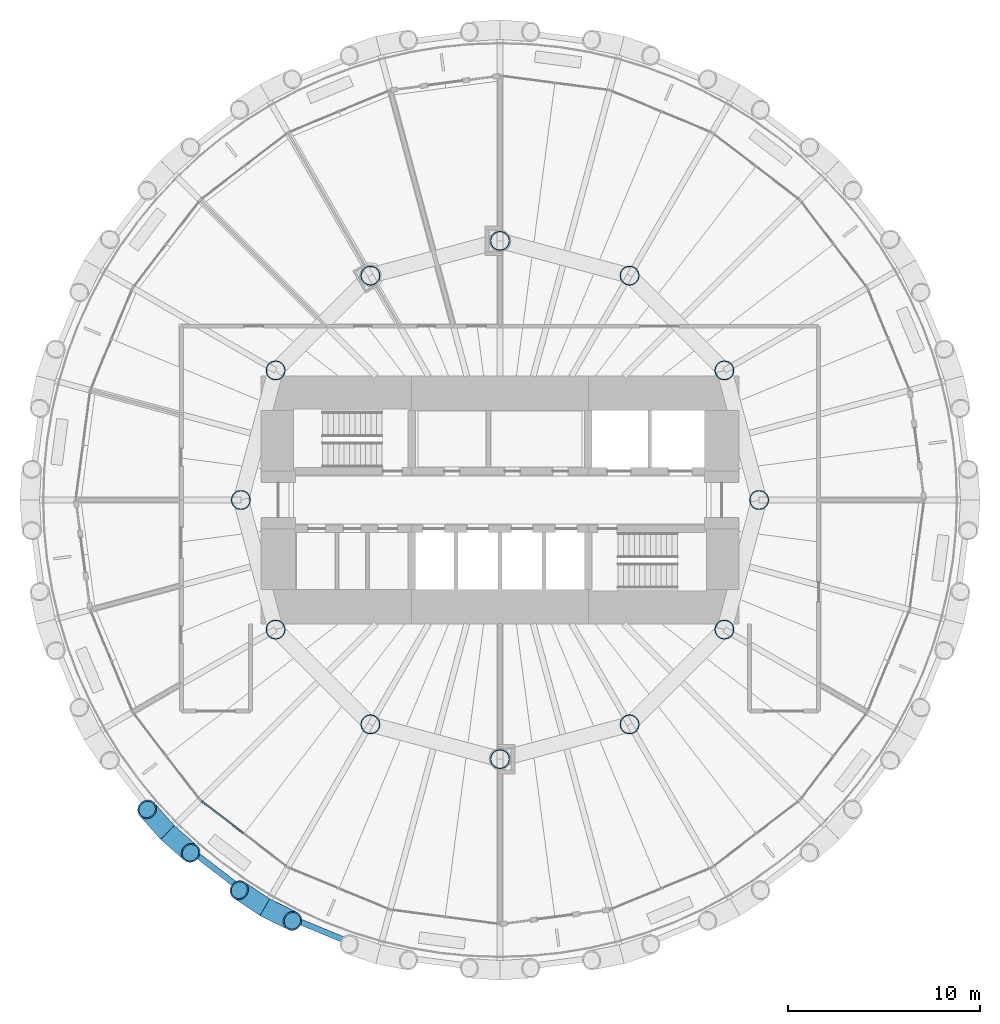
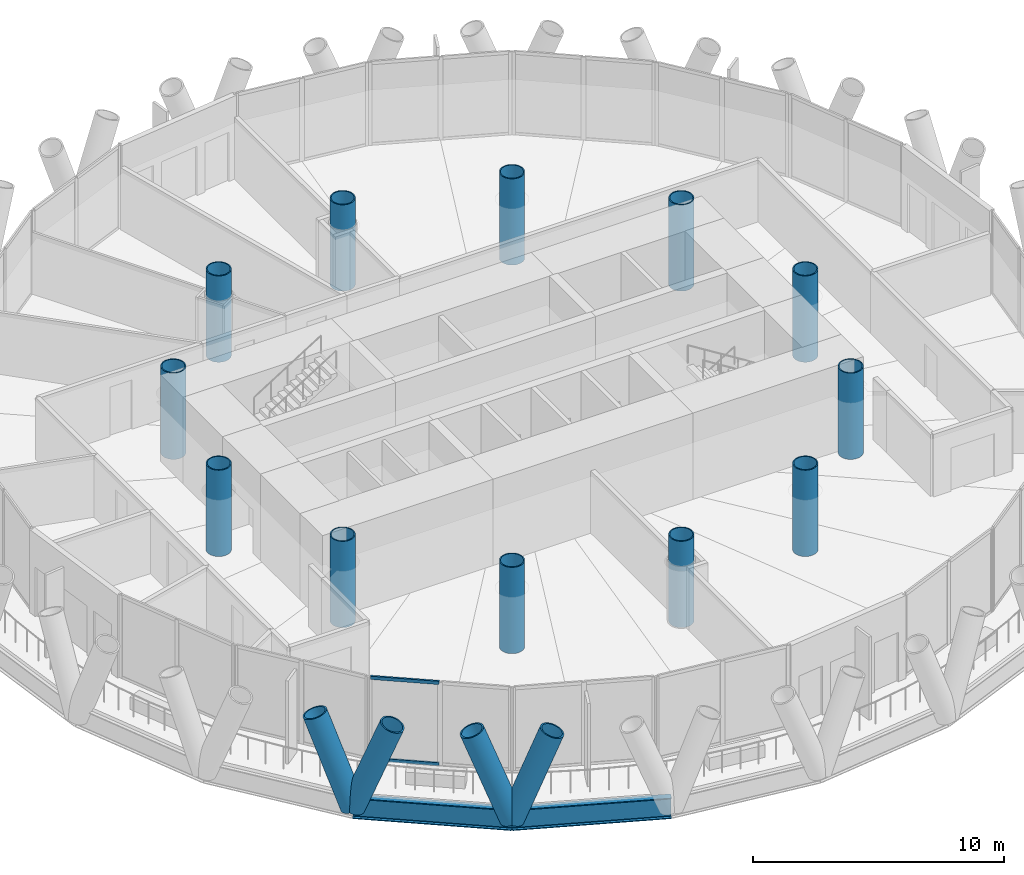
# One storey, part 1 of 15: 12 columns, 6 members, 2 beams, 1 element without a shape of its own.
"""IFC4 building model written with IfcOpenShell, lengths in metres."""

import ifcopenshell
import ifcopenshell.guid

model = None  # the IFC model being written
_history = None  # IfcOwnerHistory: only IFC2X3 demands one
_inside = {}  # id of a spatial element -> (the spatial element, [elements in it])
_under = {}  # id of a project, library or spatial element -> (it, [spatial elements below it])
_declared = {}  # id of a project -> (the project, [libraries it declares])
_typed = {}  # id of a type object -> (the type object, [elements of that type])
_made_of = {}  # id of a material, layer set ... -> (it, [elements and type objects made of it])


def new_model(schema):
    """Start an empty IFC model of exactly this schema.

    Asked for "IFC4X3", IfcOpenShell would pick the latest addendum, in which some entities
    have other attributes; the version numbers below select the first issue.
    IFC2X3 requires an IfcOwnerHistory on every rooted entity: one is made here for all.
    """
    global model, _history
    if schema == "IFC4X3":
        model = ifcopenshell.file(schema_version=(4, 3, 0, 0))
    else:
        model = ifcopenshell.file(schema=schema)
    _inside.clear()
    _under.clear()
    _declared.clear()
    _typed.clear()
    _made_of.clear()
    _history = None
    if model.schema == "IFC2X3":
        org = make("IfcOrganization", Name="unknown")
        user = make(
            "IfcPersonAndOrganization",
            ThePerson=make("IfcPerson", FamilyName="unknown"),
            TheOrganization=org,
        )
        app = make(
            "IfcApplication",
            ApplicationDeveloper=org,
            Version="unknown",
            ApplicationFullName="unknown",
            ApplicationIdentifier="unknown",
        )
        _history = make(
            "IfcOwnerHistory",
            OwningUser=user,
            OwningApplication=app,
            ChangeAction="ADDED",
            CreationDate=0,
        )
    return model


def make(cls, **values):
    """One entity of the class cls with the attributes given. An attribute that is None is left unset."""
    return model.create_entity(
        cls, **{name: value for name, value in values.items() if value is not None}
    )


def rooted(cls, **values):
    """An entity with a GlobalId (a new one), such as an element, a storey or a relation."""
    return make(cls, GlobalId=ifcopenshell.guid.new(), OwnerHistory=_history, **values)


def si_unit(unit_type, name, prefix=None):
    """IfcSIUnit, for example si_unit("LENGTHUNIT", "METRE", prefix="MILLI")."""
    return make("IfcSIUnit", UnitType=unit_type, Prefix=prefix, Name=name)


def assignment(units):
    """IfcUnitAssignment: the units of a project."""
    return None if units is None else make("IfcUnitAssignment", Units=units)


def point(xyz):
    """IfcCartesianPoint."""
    return None if xyz is None else make("IfcCartesianPoint", Coordinates=xyz)


def direction(xyz):
    """IfcDirection."""
    return None if xyz is None else make("IfcDirection", DirectionRatios=xyz)


def frame(location, z_axis=None, x_axis=None):
    """IfcAxis2Placement3D, a coordinate frame: its origin and axes. An axis left out is left unset."""
    return make(
        "IfcAxis2Placement3D",
        Location=point(location),
        Axis=direction(z_axis),
        RefDirection=direction(x_axis),
    )


def frame_2d(location, x_axis=None):
    """IfcAxis2Placement2D, a coordinate frame in the plane: its origin and x axis."""
    return make(
        "IfcAxis2Placement2D", Location=point(location), RefDirection=direction(x_axis)
    )


def origin():
    """The frame at (0, 0, 0) with its axes left unset."""
    return frame((0.0, 0.0, 0.0))


def origin_2d():
    """The frame at (0, 0) in the plane with its x axis left unset."""
    return frame_2d((0.0, 0.0))


def place(relative_to, where):
    """IfcLocalPlacement: puts the frame where relative to a parent placement (None: the world)."""
    return make(
        "IfcLocalPlacement", PlacementRelTo=relative_to, RelativePlacement=where
    )


def context(
    kind, dimensions, precision=None, world=None, true_north=None, identifier=None
):
    """IfcGeometricRepresentationContext, for example the 3D "Model" context."""
    return make(
        "IfcGeometricRepresentationContext",
        ContextIdentifier=identifier,
        ContextType=kind,
        CoordinateSpaceDimension=dimensions,
        Precision=precision,
        WorldCoordinateSystem=world,
        TrueNorth=true_north,
    )


def subcontext(parent, identifier, kind, view, scale=None):
    """IfcGeometricRepresentationSubContext, for example "Body" below "Model"."""
    return make(
        "IfcGeometricRepresentationSubContext",
        ContextIdentifier=identifier,
        ContextType=kind,
        ParentContext=parent,
        TargetScale=scale,
        TargetView=view,
    )


def project(units=None, contexts=None):
    """IfcProject with its units and contexts."""
    return rooted(
        "IfcProject",
        Name="project",
        RepresentationContexts=contexts,
        UnitsInContext=assignment(units),
    )


def spatial(cls, under=None, at=None, **own):
    """A site, building, storey or space (cls), placed at a placement, below another one or the project."""
    s = rooted(cls, ObjectPlacement=at, **own)
    if under is not None:
        _under.setdefault(under.id(), (under, []))[1].append(s)
    return s


def profile(cls, at=None, kind="AREA", **sizes):
    """A parametric profile (cls). Its sizes go by their IFC names, for example OverallWidth=200.0."""
    return make(cls, ProfileType=kind, Position=at, **sizes)


def rectangle(**sizes):
    """IfcRectangleProfileDef."""
    return profile("IfcRectangleProfileDef", **sizes)


def hollow_circle(**sizes):
    """IfcCircleHollowProfileDef."""
    return profile("IfcCircleHollowProfileDef", **sizes)


def i_section(**sizes):
    """IfcIShapeProfileDef."""
    return profile("IfcIShapeProfileDef", **sizes)


def extrude(swept, where, along, depth):
    """IfcExtrudedAreaSolid: the profile swept, set in the frame where, extruded along a direction by depth."""
    return make(
        "IfcExtrudedAreaSolid",
        SweptArea=swept,
        Position=where,
        ExtrudedDirection=direction(along),
        Depth=depth,
    )


def shape(context_of_items, identifier, shape_type, items):
    """IfcShapeRepresentation: the items that make up one representation, for example the "Body"."""
    return make(
        "IfcShapeRepresentation",
        ContextOfItems=context_of_items,
        RepresentationIdentifier=identifier,
        RepresentationType=shape_type,
        Items=items,
    )


def material(Name=None, Category=None):
    """IfcMaterial."""
    return make("IfcMaterial", Name=Name, Category=Category)


def material_profile(
    of_material, cross_section, Name=None, Category=None, Priority=None
):
    """IfcMaterialProfile: a cross section and its material."""
    return make(
        "IfcMaterialProfile",
        Name=Name,
        Material=of_material,
        Profile=cross_section,
        Priority=Priority,
        Category=Category,
    )


def profile_set(profiles, Name=None, composite=None):
    """IfcMaterialProfileSet."""
    return make(
        "IfcMaterialProfileSet",
        Name=Name,
        MaterialProfiles=profiles,
        CompositeProfile=composite,
    )


def made_of(thing, what):
    """Note that an element or type object is made of a material, layer set ...; save() writes the relation."""
    if what is not None:
        _made_of.setdefault(what.id(), (what, []))[1].append(thing)
    return thing


def type_object(cls, material=None, **own):
    """A type object (cls), such as IfcWallType, which elements share."""
    return made_of(rooted(cls, **own), material)


def element(
    cls,
    number,
    at=None,
    inside=None,
    cuts=None,
    type_object=None,
    material=None,
    context=None,
    identifier="Body",
    shape_type=None,
    held_by="IfcProductDefinitionShape",
    body=None,
    shapes=None,
    **own,
):
    """One element of the class cls, such as IfcWall. Its Tag is "e" and its number.

    at: its placement. inside: the storey or other place that contains it. cuts: it is an
    opening in that element (IfcRelVoidsElement). A single representation is given by context,
    identifier, shape_type and body (its items); several are given by shapes. held_by: the class
    of the entity that holds the representations. save() writes the other relations.
    """
    e = rooted(cls, Tag="e%d" % number, ObjectPlacement=at, **own)
    if body is not None:
        shapes = [shape(context, identifier, shape_type, body)]
    if shapes is not None:
        e.Representation = make(held_by, Representations=shapes)
    if inside is not None:
        _inside.setdefault(inside.id(), (inside, []))[1].append(e)
    if cuts is not None:
        rooted(
            "IfcRelVoidsElement", RelatingBuildingElement=cuts, RelatedOpeningElement=e
        )
    if type_object is not None:
        _typed.setdefault(type_object.id(), (type_object, []))[1].append(e)
    return made_of(e, material)


def aggregate(whole, parts):
    """IfcRelAggregates: a whole, such as a stair, and the parts it consists of."""
    return rooted("IfcRelAggregates", RelatingObject=whole, RelatedObjects=parts)


def save(model, path):
    """Write the relations noted so far, then the file.

    IfcRelAggregates (storeys below a building ...), IfcRelContainedInSpatialStructure (elements
    in a storey), IfcRelDefinesByType, IfcRelAssociatesMaterial and IfcRelDeclares: one each for
    every whole, place, type object, material and project.
    """
    for whole, parts in _under.values():
        aggregate(whole, parts)
    for where, things in _inside.values():
        rooted(
            "IfcRelContainedInSpatialStructure",
            RelatedElements=things,
            RelatingStructure=where,
        )
    for kind, things in _typed.values():
        rooted("IfcRelDefinesByType", RelatedObjects=things, RelatingType=kind)
    for what, things in _made_of.values():
        rooted("IfcRelAssociatesMaterial", RelatedObjects=things, RelatingMaterial=what)
    for by, libraries in _declared.values():
        rooted("IfcRelDeclares", RelatingContext=by, RelatedDefinitions=libraries)
    model.write(path)


model = new_model("IFC4")

# Units and contexts
model_context = context("Model", 3, precision=1e-05, world=origin(), true_north=direction((0.0, 1.0)))
body_context = subcontext(model_context, "Body", "Model", "MODEL_VIEW")
ifc_project = project(units=[si_unit("LENGTHUNIT", "METRE"), si_unit("AREAUNIT", "SQUARE_METRE"), si_unit("VOLUMEUNIT", "CUBIC_METRE"), si_unit("PLANEANGLEUNIT", "RADIAN"), si_unit("MASSUNIT", "GRAM", prefix="KILO")], contexts=[model_context])

# Site, building, storey
site_placement = place(None, origin())
site = spatial("IfcSite", under=ifc_project, at=site_placement, CompositionType="ELEMENT")
building_placement = place(site_placement, origin())
building = spatial("IfcBuilding", under=site, at=building_placement, Name="Qaws Media Tower", CompositionType="ELEMENT")
storey_placement = place(building_placement, frame((0.0, 0.0, 177.199951171875)))
storey = spatial("IfcBuildingStorey", under=building, at=storey_placement, Name="L40", CompositionType="ELEMENT", Elevation=177.199951171875)

# Columns
ifc_material_1 = material(Name="Steel S460", Category="steel")
ifc_material_profile_1 = material_profile(ifc_material_1, hollow_circle(Radius=0.508056640625, WallThickness=0.050048828125, at=origin_2d()), Name="CHS 1016x50")
ifc_profile_set_1 = profile_set([ifc_material_profile_1], Name="Steel S460")
column_type = type_object("IfcColumnType", Name="Inner column CHS 1016x50", PredefinedType="COLUMN", material=ifc_profile_set_1)
for number, where, z_axis, x_axis, name in (
    (1, (73.5, 50.0, 0.0), (0.0, 0.0, 1.0), (1.0, 0.0, 0.0), "C2 inner column I01 L40"),
    (2, (71.69140625, 56.75, 0.0), (0.0, 0.0, 1.0), (1.0, 0.0, 0.0), "C2 inner column I02 L40"),
    (3, (66.75, 61.69140625, 0.0), (0.0, 0.0, 1.0), (1.0, 0.0, 0.0), "C2 inner column I03 L40"),
    (4, (60.0, 63.5, 0.0), (0.0, 0.0, 1.0), (1.0, 0.0, 0.0), "C2 inner column I04 L40"),
    (5, (53.25, 61.69140625, 0.0), (0.0, 0.0, 1.0), (1.0, 0.0, 0.0), "C2 inner column I05 L40"),
    (6, (48.30859375, 56.75, 0.0), (0.0, 0.0, 1.0), (1.0, 0.0, 0.0), "C2 inner column I06 L40"),
    (7, (46.5, 50.0, 0.0), (0.0, 0.0, 1.0), (1.0, 0.0, 0.0), "C2 inner column I07 L40"),
    (8, (48.30859375, 43.25, 0.0), (0.0, 0.0, 1.0), (1.0, 0.0, 0.0), "C2 inner column I08 L40"),
    (9, (53.25, 38.30859375, 0.0), (0.0, 0.0, 1.0), (1.0, 0.0, 0.0), "C2 inner column I09 L40"),
    (10, (60.0, 36.5, 0.0), (0.0, 0.0, 1.0), (1.0, 0.0, 0.0), "C2 inner column I10 L40"),
    (11, (66.75, 38.30859375, 0.0), (0.0, 0.0, 1.0), (1.0, 0.0, 0.0), "C2 inner column I11 L40"),
    (12, (71.69140625, 43.25, 0.0), (0.0, 0.0, 1.0), (1.0, 0.0, 0.0), "C2 inner column I12 L40"),
):
    element("IfcColumn", number, at=place(storey_placement, frame(where, z_axis=z_axis, x_axis=x_axis)), inside=storey, type_object=column_type, Name=name, PredefinedType="COLUMN", context=body_context, shape_type="SweptSolid", body=[
        extrude(hollow_circle(Radius=0.508056640625, WallThickness=0.050048828125, at=origin_2d()), origin(), (0.0, 0.0, 1.0), 4.199951171875),
    ])

# Curtain wall, members
ifc_material_2 = material(Name="Aluminium and clear glass", Category="aluminium")
curtain_wall_type = type_object("IfcCurtainWallType", Name="Unitised curtain wall CW-B", PredefinedType="NOTDEFINED", material=ifc_material_2)
curtain_wall_placement = place(storey_placement, origin())
curtain_wall = element("IfcCurtainWall", 13, at=curtain_wall_placement, inside=storey, type_object=curtain_wall_type, Name="CWB curtain wall L40-16", PredefinedType="NOTDEFINED")
ifc_material_3 = material(Name="Aluminium transom", Category="aluminium")
ifc_material_profile_2 = material_profile(ifc_material_3, rectangle(XDim=0.080078125, YDim=0.159912109375, at=origin_2d()), Name="80x160")
ifc_profile_set_2 = profile_set([ifc_material_profile_2], Name="Aluminium transom")
member_type_1 = type_object("IfcMemberType", Name="Curtain wall transom 80x160", PredefinedType="USERDEFINED", material=ifc_profile_set_2)
member_1_placement = place(storey_placement, frame((44.4365234375, 34.32421875, 0.0400390625), z_axis=(0.793349003798, -0.608767080394, 0.0), x_axis=(0.608767080394, 0.793349003798, 0.0)))
member_1 = element("IfcMember", 14, at=member_1_placement, type_object=member_type_1, Name="CWB transom 1.1", ObjectType="TRANSOM", PredefinedType="USERDEFINED", context=body_context, shape_type="SweptSolid", body=[
    extrude(rectangle(XDim=0.080078125, YDim=0.159912109375, at=origin_2d()), origin(), (0.0, 0.0, 1.0), 2.764404296875),
])
member_2_placement = place(storey_placement, frame((44.4365234375, 34.32421875, 4.0), z_axis=(0.793349003798, -0.608767080394, 0.0), x_axis=(0.608767080394, 0.793349003798, 0.0)))
member_2 = element("IfcMember", 15, at=member_2_placement, type_object=member_type_1, Name="CWB transom 1.2", ObjectType="TRANSOM", PredefinedType="USERDEFINED", context=body_context, shape_type="SweptSolid", body=[
    extrude(rectangle(XDim=0.080078125, YDim=0.159912109375, at=origin_2d()), origin(), (0.0, 0.0, 1.0), 2.764404296875),
])
aggregate(curtain_wall, [member_1, member_2])

# Members
ifc_material_4 = material(Name="Steel S460", Category="steel")
ifc_material_profile_3 = material_profile(ifc_material_4, hollow_circle(Radius=0.508056640625, WallThickness=0.070068359375, at=origin_2d()), Name="CHS 1016x70")
ifc_profile_set_3 = profile_set([ifc_material_profile_3], Name="Steel S460")
member_type_2 = type_object("IfcMemberType", Name="Diagrid member CHS 1016x70", PredefinedType="USERDEFINED", material=ifc_profile_set_3)
for number, where, z_axis, x_axis, name in (
    (16, (42.67578125, 32.67578125, -0.6640625), (0.267630500655, -0.235425775232, 0.934317194252), (0.660487062234, 0.750837426226, 0.0), "DG3 diagrid L40 A16"),
    (17, (42.67578125, 32.67578125, -0.6640625), (-0.235425775232, 0.267630500655, 0.934317194252), (-0.750837426226, -0.660487062234, 0.0), "DG3 diagrid L40 B16"),
    (18, (47.75, 28.782470703125, -0.6640625), (0.319440341639, -0.158145235439, 0.934316837396), (0.44367532717, 0.896187594235, 0.0), "DG3 diagrid L40 A17"),
):
    element("IfcMember", number, at=place(storey_placement, frame(where, z_axis=z_axis, x_axis=x_axis)), inside=storey, type_object=member_type_2, Name=name, ObjectType="DIAGRID", PredefinedType="USERDEFINED", context=body_context, shape_type="SweptSolid", body=[
        extrude(hollow_circle(Radius=0.508056640625, WallThickness=0.070068359375, at=origin_2d()), origin(), (0.0, 0.0, 1.0), 4.495361328125),
    ])
member_3_placement = place(storey_placement, frame((47.75, 28.782470703125, -0.6640625), z_axis=(-0.296684477333, 0.197572419648, 0.934314433103), x_axis=(-0.554278210596, -0.832331463576, 0.0)))
element("IfcMember", 19, at=member_3_placement, inside=storey, type_object=member_type_2, Name="DG3 diagrid L40 B17", ObjectType="DIAGRID", PredefinedType="USERDEFINED", context=body_context, shape_type="SweptSolid", body=[
    extrude(hollow_circle(Radius=0.508056640625, WallThickness=0.070068359375, at=origin_2d()), origin(), (0.0, 0.0, 1.0), 4.49560546875),
])

# Beams
ifc_material_5 = material(Name="Steel S460", Category="steel")
ifc_material_profile_4 = material_profile(ifc_material_5, i_section(OverallWidth=0.302001953125, OverallDepth=1.008056640625, WebThickness=0.02099609375, FlangeThickness=0.0400390625, FilletRadius=0.030029296875, at=origin_2d()), Name="HE 1000 M")
ifc_profile_set_4 = profile_set([ifc_material_profile_4], Name="Steel S460")
beam_type = type_object("IfcBeamType", Name="Edge ring beam HE 1000 M", PredefinedType="BEAM", material=ifc_profile_set_4)
for number, where, z_axis, x_axis, name in (
    (20, (42.67578125, 32.67578125, -0.6640625), (0.79337406388, -0.60873442055, 0.0), (0.60873442055, 0.79337406388, 0.0), "RB3 edge ring beam L40-16"),
    (21, (47.75, 28.782470703125, -0.6640625), (0.923868882006, -0.382709143949, 0.0), (0.382709143949, 0.923868882006, 0.0), "RB3 edge ring beam L40-17"),
):
    element("IfcBeam", number, at=place(storey_placement, frame(where, z_axis=z_axis, x_axis=x_axis)), inside=storey, type_object=beam_type, Name=name, PredefinedType="BEAM", context=body_context, shape_type="SweptSolid", body=[
        extrude(i_section(OverallWidth=0.302001953125, OverallDepth=1.008056640625, WebThickness=0.02099609375, FlangeThickness=0.0400390625, FilletRadius=0.030029296875, at=origin_2d()), origin(), (0.0, 0.0, 1.0), 6.395751953125),
    ])

save(model, "model.ifc")
